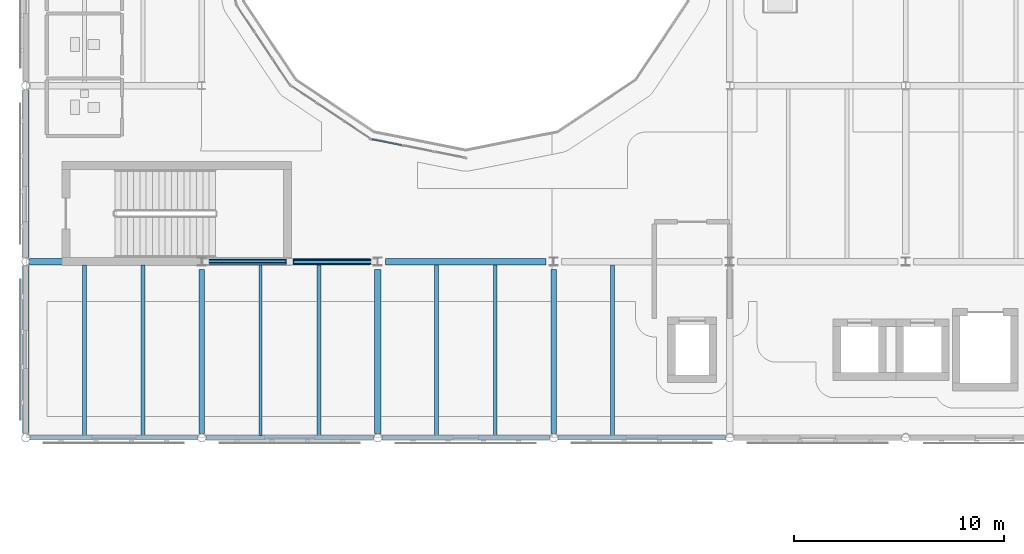
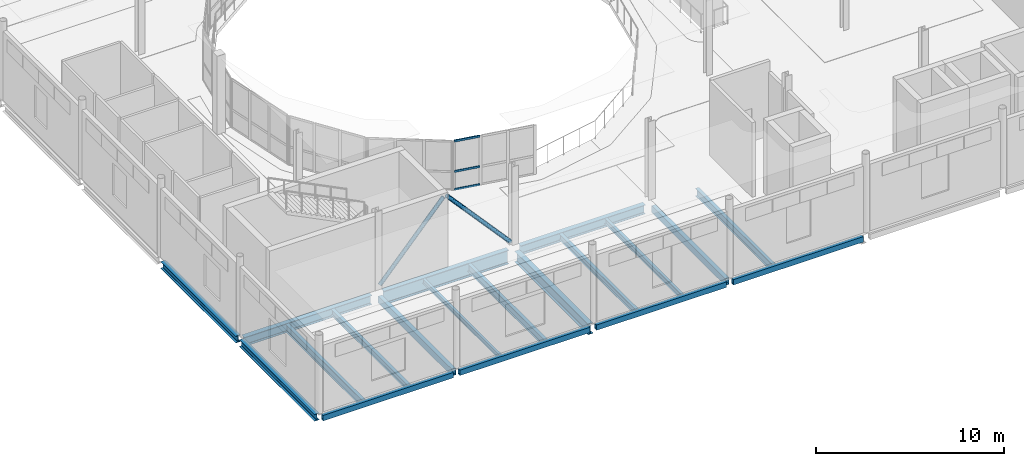
# One storey, part 14 of 104: 19 beams, 5 members, 1 element without a shape of its own.
"""IFC4 building model written with IfcOpenShell, lengths in metres."""

from ifc_helpers import new_model, si_unit, direction, frame, origin, origin_2d, place, context, subcontext, project, spatial, hollow_rectangle, hollow_circle, i_section, extrude, material, layer, layer_set, material_profile, profile_set, type_object, element, aggregate, save


model = new_model("IFC4")

# Units and contexts
model_context = context("Model", 3, precision=1e-05, world=origin(), true_north=direction((0.0, 1.0)))
body_context = subcontext(model_context, "Body", "Model", "MODEL_VIEW")
ifc_project = project(units=[si_unit("LENGTHUNIT", "METRE"), si_unit("AREAUNIT", "SQUARE_METRE"), si_unit("VOLUMEUNIT", "CUBIC_METRE"), si_unit("PLANEANGLEUNIT", "RADIAN"), si_unit("MASSUNIT", "GRAM", prefix="KILO"), si_unit("THERMODYNAMICTEMPERATUREUNIT", "KELVIN")], contexts=[model_context])

# Site, building, storey
site_placement = place(None, origin())
site = spatial("IfcSite", under=ifc_project, at=site_placement, CompositionType="ELEMENT")
building_placement = place(site_placement, origin())
building = spatial("IfcBuilding", under=site, at=building_placement, Name="Lustrewick Department Store", CompositionType="ELEMENT")
storey_placement = place(building_placement, frame((0.0, 0.0, 11.39990234375)))
storey = spatial("IfcBuildingStorey", under=building, at=storey_placement, Name="L03", CompositionType="ELEMENT", Elevation=11.39990234375)

# Beams
ifc_material_1 = material(Name="Structural steel Q355B", Category="steel")
ifc_material_profile_1 = material_profile(ifc_material_1, i_section(OverallWidth=0.199951171875, OverallDepth=0.5, WebThickness=0.010009765625, FlangeThickness=0.01611328125, FilletRadius=0.01611328125, at=origin_2d()), Name="HN 500x200x10x16")
ifc_profile_set_1 = profile_set([ifc_material_profile_1], Name="Structural steel Q355B")
beam_type_1 = type_object("IfcBeamType", Name="B01", PredefinedType="JOIST", material=ifc_profile_set_1)
for number, where, z_axis, x_axis, name in (
    (1, (22.39990234375, 42.10009765625, -0.5048828125), (0.0, 1.0, 0.0), (-1.0, 0.0, 0.0), "L03 V1 Secondary Joist B01"),
    (2, (36.39990234375, 42.10009765625, -0.5048828125), (0.0, 1.0, 0.0), (-1.0, 0.0, 0.0), "L03 V1 Secondary Joist B01"),
):
    element("IfcBeam", number, at=place(storey_placement, frame(where, z_axis=z_axis, x_axis=x_axis)), inside=storey, type_object=beam_type_1, Name=name, PredefinedType="JOIST", context=body_context, shape_type="SweptSolid", body=[
        extrude(i_section(OverallWidth=0.199951171875, OverallDepth=0.5, WebThickness=0.010009765625, FlangeThickness=0.01611328125, FilletRadius=0.01611328125, at=origin_2d()), origin(), (0.0, 0.0, 1.0), 8.14990234375),
    ])
ifc_material_profile_2 = material_profile(ifc_material_1, i_section(OverallWidth=0.198974609375, OverallDepth=0.49609375, WebThickness=0.009033203125, FlangeThickness=0.013916015625, FilletRadius=0.01611328125, at=origin_2d()), Name="HN 496x199x9x14")
ifc_profile_set_2 = profile_set([ifc_material_profile_2], Name="Structural steel Q355B")
beam_type_2 = type_object("IfcBeamType", Name="B02", PredefinedType="JOIST", material=ifc_profile_set_2)
beam_1_placement = place(storey_placement, frame((11.199951171875, 42.10009765625, -0.5029296875), z_axis=(0.0, 1.0, 0.0), x_axis=(-1.0, 0.0, 0.0)))
element("IfcBeam", 3, at=beam_1_placement, inside=storey, type_object=beam_type_2, Name="L03 V1 Secondary Joist B02", PredefinedType="JOIST", context=body_context, shape_type="SweptSolid", body=[
    extrude(i_section(OverallWidth=0.198974609375, OverallDepth=0.49609375, WebThickness=0.009033203125, FlangeThickness=0.013916015625, FilletRadius=0.01611328125, at=origin_2d()), origin(), (0.0, 0.0, 1.0), 8.14990234375),
])
ifc_material_profile_3 = material_profile(ifc_material_1, i_section(OverallWidth=0.198974609375, OverallDepth=0.39599609375, WebThickness=0.007080078125, FlangeThickness=0.010986328125, FilletRadius=0.013916015625, at=origin_2d()), Name="HN 396x199x7x11")
ifc_profile_set_3 = profile_set([ifc_material_profile_3], Name="Structural steel Q355B")
beam_type_3 = type_object("IfcBeamType", Name="B06", PredefinedType="JOIST", material=ifc_profile_set_3)
for number, where, z_axis, x_axis, name in (
    (4, (14.0, 42.10009765625, -0.452880859375), (0.0, 1.0, 0.0), (-1.0, 0.0, 0.0), "L03 V1 Secondary Joist B06"),
    (5, (28.0, 42.10009765625, -0.452880859375), (0.0, 1.0, 0.0), (-1.0, 0.0, 0.0), "L03 V1 Secondary Joist B06"),
):
    element("IfcBeam", number, at=place(storey_placement, frame(where, z_axis=z_axis, x_axis=x_axis)), inside=storey, type_object=beam_type_3, Name=name, PredefinedType="JOIST", context=body_context, shape_type="SweptSolid", body=[
        extrude(i_section(OverallWidth=0.198974609375, OverallDepth=0.39599609375, WebThickness=0.007080078125, FlangeThickness=0.010986328125, FilletRadius=0.013916015625, at=origin_2d()), origin(), (0.0, 0.0, 1.0), 8.14990234375),
    ])
ifc_material_profile_4 = material_profile(ifc_material_1, i_section(OverallWidth=0.174072265625, OverallDepth=0.345947265625, WebThickness=0.006103515625, FlangeThickness=0.009033203125, FilletRadius=0.012939453125, at=origin_2d()), Name="HN 346x174x6x9")
ifc_profile_set_4 = profile_set([ifc_material_profile_4], Name="Structural steel Q355B")
beam_type_4 = type_object("IfcBeamType", Name="B10", PredefinedType="JOIST", material=ifc_profile_set_4)
beam_2_placement = place(storey_placement, frame((30.800048828125, 42.10009765625, -0.427978515625), z_axis=(0.0, 1.0, 0.0), x_axis=(-1.0, 0.0, 0.0)))
element("IfcBeam", 6, at=beam_2_placement, inside=storey, type_object=beam_type_4, Name="L03 V1 Secondary Joist B10", PredefinedType="JOIST", context=body_context, shape_type="SweptSolid", body=[
    extrude(i_section(OverallWidth=0.174072265625, OverallDepth=0.345947265625, WebThickness=0.006103515625, FlangeThickness=0.009033203125, FilletRadius=0.012939453125, at=origin_2d()), origin(), (0.0, 0.0, 1.0), 8.14990234375),
])
ifc_material_profile_5 = material_profile(ifc_material_1, i_section(OverallWidth=0.14990234375, OverallDepth=0.300048828125, WebThickness=0.006591796875, FlangeThickness=0.009033203125, FilletRadius=0.011962890625, at=origin_2d()), Name="HN 300x150x6.5x9")
ifc_profile_set_5 = profile_set([ifc_material_profile_5], Name="Structural steel Q355B")
beam_type_5 = type_object("IfcBeamType", Name="B11", PredefinedType="JOIST", material=ifc_profile_set_5)
beam_3_placement = place(storey_placement, frame((19.60009765625, 42.10009765625, -0.40478515625), z_axis=(0.0, 1.0, 0.0), x_axis=(-1.0, 0.0, 0.0)))
element("IfcBeam", 7, at=beam_3_placement, inside=storey, type_object=beam_type_5, Name="L03 V1 Secondary Joist B11", PredefinedType="JOIST", context=body_context, shape_type="SweptSolid", body=[
    extrude(i_section(OverallWidth=0.14990234375, OverallDepth=0.300048828125, WebThickness=0.006591796875, FlangeThickness=0.009033203125, FilletRadius=0.011962890625, at=origin_2d()), origin(), (0.0, 0.0, 1.0), 8.14990234375),
])

# Members
ifc_material_2 = material(Name="Structural steel Q355C", Category="steel")
ifc_material_profile_6 = material_profile(ifc_material_2, hollow_circle(Radius=0.12255859375, WallThickness=0.010009765625, at=origin_2d()), Name="CHS 245x10")
ifc_profile_set_6 = profile_set([ifc_material_profile_6], Name="Structural steel Q355C")
member_type_1 = type_object("IfcMemberType", Name="BR04", PredefinedType="BRACE", material=ifc_profile_set_6)
for number, where, z_axis, x_axis, name in (
    (8, (16.993896484375, 50.39990234375, 0.150146484375), (0.668542141314, 0.0, 0.743674260202), (0.0, 1.0, 0.0), "L03 V1 Chevron Brace BR04"),
    (9, (25.006103515625, 50.39990234375, 0.150146484375), (-0.668542141314, 0.0, 0.743674260202), (0.0, -1.0, 0.0), "L03 V1 Chevron Brace BR04"),
):
    element("IfcMember", number, at=place(storey_placement, frame(where, z_axis=z_axis, x_axis=x_axis)), inside=storey, type_object=member_type_1, Name=name, PredefinedType="BRACE", context=body_context, shape_type="SweptSolid", body=[
        extrude(hollow_circle(Radius=0.12255859375, WallThickness=0.010009765625, at=origin_2d()), origin(), (0.0, 0.0, 1.0), 5.842529296875),
    ])

# Curtain wall, members
ifc_material_3 = material(Name="Thermally broken aluminium 6063-T5", Category="aluminium")
ifc_layer = layer(ifc_material_3, 0.169921875, Name="Thermally broken aluminium 6063-T5")
ifc_layer_set = layer_set([ifc_layer], Name="Thermally broken aluminium 6063-T5")
curtain_wall_type = type_object("IfcCurtainWallType", Name="CW16", PredefinedType="NOTDEFINED", material=ifc_layer_set)
curtain_wall_placement = place(storey_placement, origin())
curtain_wall = element("IfcCurtainWall", 10, at=curtain_wall_placement, inside=storey, type_object=curtain_wall_type, Name="L03 Atrium Glazed Screen CW16", PredefinedType="NOTDEFINED")
ifc_material_profile_7 = material_profile(ifc_material_3, hollow_rectangle(XDim=0.06494140625, YDim=0.1298828125, WallThickness=0.00341796875, at=origin_2d()), Name="ALU-T 65x130x3.5")
ifc_profile_set_7 = profile_set([ifc_material_profile_7], Name="Thermally broken aluminium 6063-T5")
member_type_2 = type_object("IfcMemberType", Name="CW16-T1", PredefinedType="USERDEFINED", material=ifc_profile_set_7)
member_1_placement = place(storey_placement, frame((24.928955078125, 56.2392578125, 0.03271484375), z_axis=(0.980807656141, -0.19497779785, 0.0), x_axis=(0.19497779785, 0.980807656141, 0.0)))
member_1 = element("IfcMember", 11, at=member_1_placement, type_object=member_type_2, Name="CW16 transom 1.1", ObjectType="TRANSOM", PredefinedType="USERDEFINED", context=body_context, shape_type="SweptSolid", body=[
    extrude(hollow_rectangle(XDim=0.06494140625, YDim=0.1298828125, WallThickness=0.00341796875, at=origin_2d()), origin(), (0.0, 0.0, 1.0), 1.443603515625),
])
member_2_placement = place(storey_placement, frame((24.928955078125, 56.2392578125, 1.2001953125), z_axis=(0.980807656141, -0.19497779785, 0.0), x_axis=(0.19497779785, 0.980807656141, 0.0)))
member_2 = element("IfcMember", 12, at=member_2_placement, type_object=member_type_2, Name="CW16 transom 1.2", ObjectType="TRANSOM", PredefinedType="USERDEFINED", context=body_context, shape_type="SweptSolid", body=[
    extrude(hollow_rectangle(XDim=0.06494140625, YDim=0.1298828125, WallThickness=0.00341796875, at=origin_2d()), origin(), (0.0, 0.0, 1.0), 1.443603515625),
])
member_3_placement = place(storey_placement, frame((24.928955078125, 56.2392578125, 3.16748046875), z_axis=(0.980807656141, -0.19497779785, 0.0), x_axis=(0.19497779785, 0.980807656141, 0.0)))
member_3 = element("IfcMember", 13, at=member_3_placement, type_object=member_type_2, Name="CW16 transom 1.3", ObjectType="TRANSOM", PredefinedType="USERDEFINED", context=body_context, shape_type="SweptSolid", body=[
    extrude(hollow_rectangle(XDim=0.06494140625, YDim=0.1298828125, WallThickness=0.00341796875, at=origin_2d()), origin(), (0.0, 0.0, 1.0), 1.443603515625),
])
aggregate(curtain_wall, [member_1, member_2, member_3])

# Beams
ifc_material_profile_8 = material_profile(ifc_material_2, i_section(OverallWidth=0.300048828125, OverallDepth=0.89990234375, WebThickness=0.01611328125, FlangeThickness=0.028076171875, FilletRadius=0.02392578125, at=origin_2d()), Name="HN 900x300x16x28")
ifc_profile_set_8 = profile_set([ifc_material_profile_8], Name="Structural steel Q355C")
beam_type_6 = type_object("IfcBeamType", Name="G02", PredefinedType="BEAM", material=ifc_profile_set_8)
beam_4_placement = place(storey_placement, frame((17.175048828125, 50.39990234375, -0.704833984375), z_axis=(1.0, 0.0, 0.0), x_axis=(0.0, 1.0, 0.0)))
element("IfcBeam", 14, at=beam_4_placement, inside=storey, type_object=beam_type_6, Name="L03 V1 Girder G02", PredefinedType="BEAM", context=body_context, shape_type="SweptSolid", body=[
    extrude(i_section(OverallWidth=0.300048828125, OverallDepth=0.89990234375, WebThickness=0.01611328125, FlangeThickness=0.028076171875, FilletRadius=0.02392578125, at=origin_2d()), origin(), (0.0, 0.0, 1.0), 7.64990234375),
])
ifc_material_profile_9 = material_profile(ifc_material_2, i_section(OverallWidth=0.302001953125, OverallDepth=0.7080078125, WebThickness=0.014892578125, FlangeThickness=0.028076171875, FilletRadius=0.02001953125, at=origin_2d()), Name="HN 708x302x15x28")
ifc_profile_set_9 = profile_set([ifc_material_profile_9], Name="Structural steel Q355C")
beam_type_7 = type_object("IfcBeamType", Name="G07", PredefinedType="BEAM", material=ifc_profile_set_9)
beam_5_placement = place(storey_placement, frame((25.199951171875, 42.202880859375, -0.60888671875), z_axis=(0.0, 1.0, 0.0), x_axis=(-1.0, 0.0, 0.0)))
element("IfcBeam", 15, at=beam_5_placement, inside=storey, type_object=beam_type_7, Name="L03 V1 Girder G07", PredefinedType="BEAM", context=body_context, shape_type="SweptSolid", body=[
    extrude(i_section(OverallWidth=0.302001953125, OverallDepth=0.7080078125, WebThickness=0.014892578125, FlangeThickness=0.028076171875, FilletRadius=0.02001953125, at=origin_2d()), origin(), (0.0, 0.0, 1.0), 7.822021484375),
])
ifc_material_profile_10 = material_profile(ifc_material_1, i_section(OverallWidth=0.300048828125, OverallDepth=0.587890625, WebThickness=0.011962890625, FlangeThickness=0.02001953125, FilletRadius=0.02392578125, at=origin_2d()), Name="HM 588x300x12x20")
ifc_profile_set_10 = profile_set([ifc_material_profile_10], Name="Structural steel Q355B")
beam_type_8 = type_object("IfcBeamType", Name="G11", PredefinedType="BEAM", material=ifc_profile_set_10)
beam_6_placement = place(storey_placement, frame((8.58837890625, 50.39990234375, -0.548828125), z_axis=(1.0, 0.0, 0.0), x_axis=(0.0, 1.0, 0.0)))
element("IfcBeam", 16, at=beam_6_placement, inside=storey, type_object=beam_type_8, Name="L03 V1 Girder G11", PredefinedType="BEAM", context=body_context, shape_type="SweptSolid", body=[
    extrude(i_section(OverallWidth=0.300048828125, OverallDepth=0.587890625, WebThickness=0.011962890625, FlangeThickness=0.02001953125, FilletRadius=0.02392578125, at=origin_2d()), origin(), (0.0, 0.0, 1.0), 7.836669921875),
])
beam_7_placement = place(storey_placement, frame((25.574951171875, 50.39990234375, -0.548828125), z_axis=(1.0, 0.0, 0.0), x_axis=(0.0, 1.0, 0.0)))
element("IfcBeam", 17, at=beam_7_placement, inside=storey, type_object=beam_type_8, Name="L03 V1 Girder G11", PredefinedType="BEAM", context=body_context, shape_type="SweptSolid", body=[
    extrude(i_section(OverallWidth=0.300048828125, OverallDepth=0.587890625, WebThickness=0.011962890625, FlangeThickness=0.02001953125, FilletRadius=0.02392578125, at=origin_2d()), origin(), (0.0, 0.0, 1.0), 7.650146484375),
])
ifc_material_profile_11 = material_profile(ifc_material_2, hollow_rectangle(XDim=0.25, YDim=0.449951171875, WallThickness=0.013916015625, at=origin_2d()), Name="RHS 450x250x14")
ifc_profile_set_11 = profile_set([ifc_material_profile_11], Name="Structural steel Q355C")
beam_type_9 = type_object("IfcBeamType", Name="G18", PredefinedType="BEAM", material=ifc_profile_set_11)
for number, where, z_axis, x_axis, name in (
    (18, (16.800048828125, 42.202880859375, -0.47998046875), (0.0, 1.0, 0.0), (-1.0, 0.0, 0.0), "L03 V1 Girder G18"),
    (19, (33.60009765625, 42.202880859375, -0.47998046875), (0.0, 1.0, 0.0), (-1.0, 0.0, 0.0), "L03 V1 Girder G18"),
):
    element("IfcBeam", number, at=place(storey_placement, frame(where, z_axis=z_axis, x_axis=x_axis)), inside=storey, type_object=beam_type_9, Name=name, PredefinedType="BEAM", context=body_context, shape_type="SweptSolid", body=[
        extrude(hollow_rectangle(XDim=0.25, YDim=0.449951171875, WallThickness=0.013916015625, at=origin_2d()), origin(), (0.0, 0.0, 1.0), 7.822021484375),
    ])
ifc_material_profile_12 = material_profile(ifc_material_1, i_section(OverallWidth=0.300048828125, OverallDepth=0.43994140625, WebThickness=0.010986328125, FlangeThickness=0.01806640625, FilletRadius=0.02001953125, at=origin_2d()), Name="HM 440x300x11x18")
ifc_profile_set_12 = profile_set([ifc_material_profile_12], Name="Structural steel Q355B")
beam_type_10 = type_object("IfcBeamType", Name="SP02", PredefinedType="SPANDREL", material=ifc_profile_set_12)
for number, where, z_axis, x_axis, name in (
    (20, (8.39990234375, 42.202880859375, -0.474853515625), (0.0, 1.0, 0.0), (-1.0, 0.0, 0.0), "L03 V1 Girder SP02"),
    (21, (8.39990234375, 50.58837890625, -0.474853515625), (0.0, 1.0, 0.0), (-1.0, 0.0, 0.0), "L03 V1 Girder SP02"),
):
    element("IfcBeam", number, at=place(storey_placement, frame(where, z_axis=z_axis, x_axis=x_axis)), inside=storey, type_object=beam_type_10, Name=name, PredefinedType="SPANDREL", context=body_context, shape_type="SweptSolid", body=[
        extrude(i_section(OverallWidth=0.300048828125, OverallDepth=0.43994140625, WebThickness=0.010986328125, FlangeThickness=0.01806640625, FilletRadius=0.02001953125, at=origin_2d()), origin(), (0.0, 0.0, 1.0), 8.008544921875),
    ])
ifc_material_profile_13 = material_profile(ifc_material_2, hollow_rectangle(XDim=0.199951171875, YDim=0.35009765625, WallThickness=0.011962890625, at=origin_2d()), Name="RHS 350x200x12")
ifc_profile_set_13 = profile_set([ifc_material_profile_13], Name="Structural steel Q355C")
beam_type_11 = type_object("IfcBeamType", Name="SP03", PredefinedType="SPANDREL", material=ifc_profile_set_13)
beam_8_placement = place(storey_placement, frame((8.60302734375, 42.0, -0.429931640625), z_axis=(1.0, 0.0, 0.0), x_axis=(0.0, 1.0, 0.0)))
element("IfcBeam", 22, at=beam_8_placement, inside=storey, type_object=beam_type_11, Name="L03 V1 Girder SP03", PredefinedType="SPANDREL", context=body_context, shape_type="SweptSolid", body=[
    extrude(hollow_rectangle(XDim=0.199951171875, YDim=0.35009765625, WallThickness=0.011962890625, at=origin_2d()), origin(), (0.0, 0.0, 1.0), 7.993896484375),
])
beam_9_placement = place(storey_placement, frame((17.0029296875, 42.0, -0.429931640625), z_axis=(1.0, 0.0, 0.0), x_axis=(0.0, 1.0, 0.0)))
element("IfcBeam", 23, at=beam_9_placement, inside=storey, type_object=beam_type_11, Name="L03 V1 Girder SP03", PredefinedType="SPANDREL", context=body_context, shape_type="SweptSolid", body=[
    extrude(hollow_rectangle(XDim=0.199951171875, YDim=0.35009765625, WallThickness=0.011962890625, at=origin_2d()), origin(), (0.0, 0.0, 1.0), 7.994140625),
])
beam_10_placement = place(storey_placement, frame((25.403076171875, 42.0, -0.429931640625), z_axis=(1.0, 0.0, 0.0), x_axis=(0.0, 1.0, 0.0)))
element("IfcBeam", 24, at=beam_10_placement, inside=storey, type_object=beam_type_11, Name="L03 V1 Girder SP03", PredefinedType="SPANDREL", context=body_context, shape_type="SweptSolid", body=[
    extrude(hollow_rectangle(XDim=0.199951171875, YDim=0.35009765625, WallThickness=0.011962890625, at=origin_2d()), origin(), (0.0, 0.0, 1.0), 7.993896484375),
])
beam_11_placement = place(storey_placement, frame((33.802978515625, 42.0, -0.429931640625), z_axis=(1.0, 0.0, 0.0), x_axis=(0.0, 1.0, 0.0)))
element("IfcBeam", 25, at=beam_11_placement, inside=storey, type_object=beam_type_11, Name="L03 V1 Girder SP03", PredefinedType="SPANDREL", context=body_context, shape_type="SweptSolid", body=[
    extrude(hollow_rectangle(XDim=0.199951171875, YDim=0.35009765625, WallThickness=0.011962890625, at=origin_2d()), origin(), (0.0, 0.0, 1.0), 7.994140625),
])

save(model, "model.ifc")
